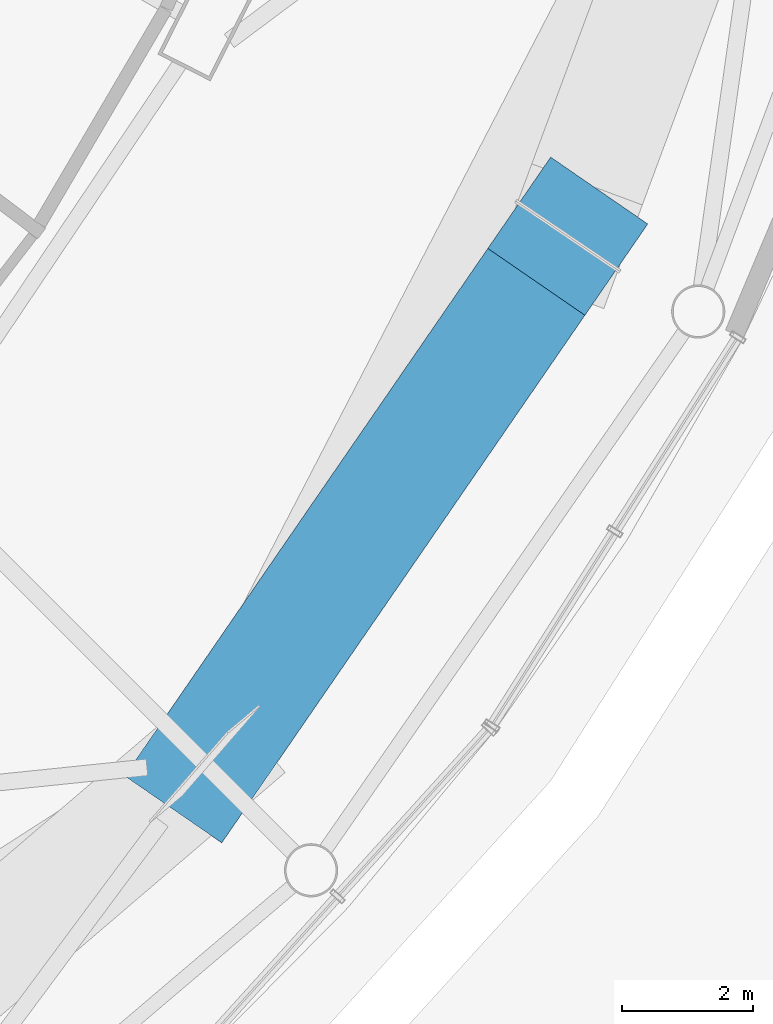
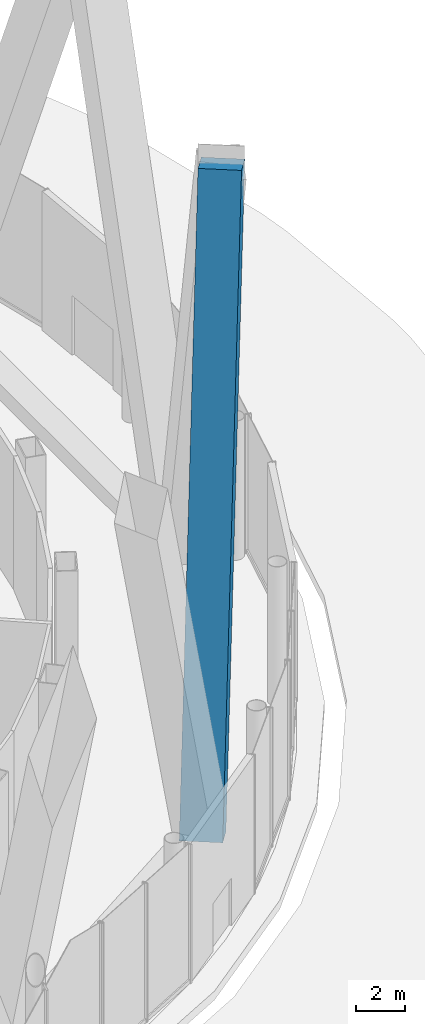
# One storey, part 31 of 67: 1 member.
"""IFC4 building model written with IfcOpenShell, lengths in metres."""

from ifc_helpers import new_model, si_unit, direction, frame, origin, origin_2d, place, context, subcontext, project, spatial, rectangle, extrude, material, material_profile, profile_set, type_object, element, save


model = new_model("IFC4")

# Units and contexts
model_context = context("Model", 3, precision=1e-05, world=origin(), true_north=direction((0.0, 1.0)))
body_context = subcontext(model_context, "Body", "Model", "MODEL_VIEW")
ifc_project = project(units=[si_unit("LENGTHUNIT", "METRE"), si_unit("AREAUNIT", "SQUARE_METRE"), si_unit("VOLUMEUNIT", "CUBIC_METRE"), si_unit("PLANEANGLEUNIT", "RADIAN"), si_unit("MASSUNIT", "GRAM", prefix="KILO")], contexts=[model_context])

# Site, building, storey
site_placement = place(None, origin())
site = spatial("IfcSite", under=ifc_project, at=site_placement, CompositionType="ELEMENT")
building_placement = place(site_placement, origin())
building = spatial("IfcBuilding", under=site, at=building_placement, Name="Nagisa Residences", CompositionType="ELEMENT")
storey_placement = place(building_placement, origin())
storey = spatial("IfcBuildingStorey", under=building, at=storey_placement, Name="L00", CompositionType="ELEMENT", Elevation=0.0)

# Member
ifc_material = material(Name="Concrete C80", Category="concrete")
ifc_material_profile = material_profile(ifc_material, rectangle(XDim=1.800048828125, YDim=1.800048828125, at=origin_2d()), Name="C80 1800x1800")
ifc_profile_set = profile_set([ifc_material_profile], Name="Concrete C80")
member_type = type_object("IfcMemberType", Name="Cage diagonal 1 C80 1800x1800", PredefinedType="BRACE", material=ifc_profile_set)
member_placement = place(storey_placement, frame((28.278076171875, -27.50634765625, 0.0), z_axis=(0.193131089396, 0.280544650217, 0.940210126271), x_axis=(-0.823689993177, 0.567040382284, 0.0)))
element("IfcMember", 1, at=member_placement, inside=storey, type_object=member_type, Name="mem:L00:cg1d022", PredefinedType="BRACE", context=body_context, shape_type="SweptSolid", body=[
    extrude(rectangle(XDim=1.800048828125, YDim=1.800048828125, at=origin_2d()), origin(), (0.0, 0.0, 1.0), 28.717041015625),
])

save(model, "model.ifc")
